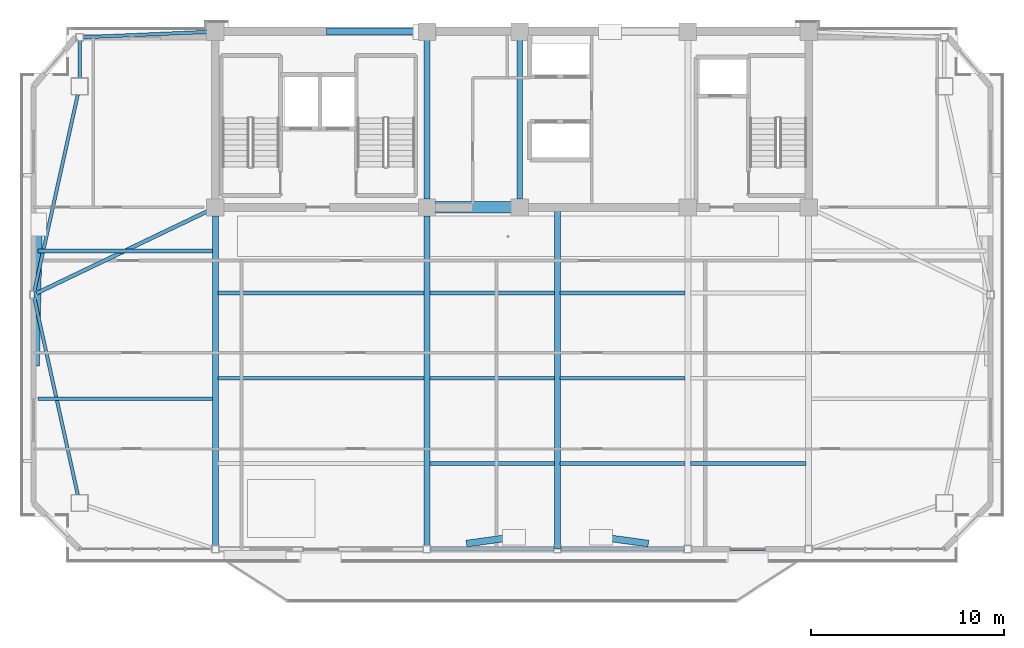
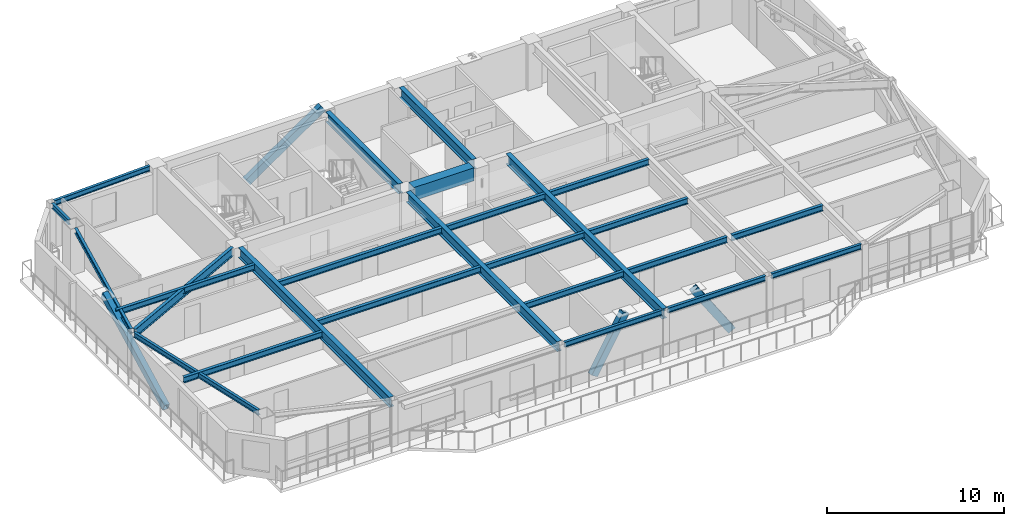
# One storey, part 3 of 13: 25 beams, 4 members.
"""IFC4 building model written with IfcOpenShell, lengths in metres."""

from ifc_helpers import new_model, si_unit, direction, frame, origin, origin_2d, place, context, subcontext, project, spatial, rectangle, hollow_rectangle, i_section, extrude, source, transform, mapped, material, material_profile, profile_set, type_object, element, save


model = new_model("IFC4")

# Units and contexts
model_context = context("Model", 3, precision=1e-05, world=origin(), true_north=direction((0.0, 1.0)))
body_context = subcontext(model_context, "Body", "Model", "MODEL_VIEW")
ifc_project = project(units=[si_unit("LENGTHUNIT", "METRE"), si_unit("AREAUNIT", "SQUARE_METRE"), si_unit("VOLUMEUNIT", "CUBIC_METRE"), si_unit("PLANEANGLEUNIT", "RADIAN"), si_unit("MASSUNIT", "GRAM", prefix="KILO")], contexts=[model_context])

# Site, building, storey
site_placement = place(None, origin())
site = spatial("IfcSite", under=ifc_project, at=site_placement, CompositionType="ELEMENT")
building_placement = place(site_placement, origin())
building = spatial("IfcBuilding", under=site, at=building_placement, Name="Giltprow Tower", CompositionType="ELEMENT")
storey_placement = place(building_placement, frame((0.0, 0.0, 307.39990234375)))
storey = spatial("IfcBuildingStorey", under=building, at=storey_placement, Name="L79", CompositionType="ELEMENT", Elevation=307.39990234375)

# Beams
ifc_material_1 = material(Name="Structural steel Q355B", Category="steel")
ifc_material_profile_1 = material_profile(ifc_material_1, i_section(OverallWidth=0.199951171875, OverallDepth=0.39990234375, WebThickness=0.008056640625, FlangeThickness=0.012939453125, at=origin_2d()), Name="HN 400x200x8x13")
ifc_profile_set_1 = profile_set([ifc_material_profile_1], Name="Structural steel Q355B")
beam_type_1 = type_object("IfcBeamType", Name="BM-JOIST-HN400", PredefinedType="JOIST", material=ifc_profile_set_1)
shared_shape_1 = source(origin(), body_context, "Body", "SweptSolid", [
    extrude(i_section(OverallWidth=0.199951171875, OverallDepth=0.39990234375, WebThickness=0.008056640625, FlangeThickness=0.012939453125, at=origin_2d()), origin(), (0.0, 0.0, 1.0), 10.659912109375),
])
for number, where, z_axis, x_axis, name in (
    (1, (19.9951171875, 28.611083984375, 2.985107421875), (1.0, 0.0, 0.0), (0.0, 1.0, 0.0), "L79 Composite Floor Joist 2-1"),
    (2, (19.9951171875, 33.031005859375, 2.985107421875), (1.0, 0.0, 0.0), (0.0, 1.0, 0.0), "L79 Composite Floor Joist 3-1"),
):
    element("IfcBeam", number, at=place(storey_placement, frame(where, z_axis=z_axis, x_axis=x_axis)), inside=storey, type_object=beam_type_1, Name=name, PredefinedType="JOIST", context=body_context, shape_type="MappedRepresentation", body=[
        mapped(shared_shape_1, transform((0.0, 0.0, 0.0), x_axis=(1.0, 0.0, 0.0), y_axis=(0.0, 1.0, 0.0), z_axis=(0.0, 0.0, 1.0), scale=1.0)),
    ])
shared_shape_2 = source(origin(), body_context, "Body", "SweptSolid", [
    extrude(i_section(OverallWidth=0.199951171875, OverallDepth=0.39990234375, WebThickness=0.008056640625, FlangeThickness=0.012939453125, at=origin_2d()), origin(), (0.0, 0.0, 1.0), 6.4599609375),
])
for number, where, z_axis, x_axis, name in (
    (3, (30.945068359375, 24.19091796875, 2.985107421875), (1.0, 0.0, 0.0), (0.0, 1.0, 0.0), "L79 Composite Floor Joist 1-2"),
    (4, (37.695068359375, 24.19091796875, 2.985107421875), (1.0, 0.0, 0.0), (0.0, 1.0, 0.0), "L79 Composite Floor Joist 1-3"),
    (5, (30.945068359375, 28.611083984375, 2.985107421875), (1.0, 0.0, 0.0), (0.0, 1.0, 0.0), "L79 Composite Floor Joist 2-2"),
    (6, (37.695068359375, 28.611083984375, 2.985107421875), (1.0, 0.0, 0.0), (0.0, 1.0, 0.0), "L79 Composite Floor Joist 2-3"),
    (7, (30.945068359375, 33.031005859375, 2.985107421875), (1.0, 0.0, 0.0), (0.0, 1.0, 0.0), "L79 Composite Floor Joist 3-2"),
    (8, (37.695068359375, 33.031005859375, 2.985107421875), (1.0, 0.0, 0.0), (0.0, 1.0, 0.0), "L79 Composite Floor Joist 3-3"),
):
    element("IfcBeam", number, at=place(storey_placement, frame(where, z_axis=z_axis, x_axis=x_axis)), inside=storey, type_object=beam_type_1, Name=name, PredefinedType="JOIST", context=body_context, shape_type="MappedRepresentation", body=[
        mapped(shared_shape_2, transform((0.0, 0.0, 0.0), x_axis=(1.0, 0.0, 0.0), y_axis=(0.0, 1.0, 0.0), z_axis=(0.0, 0.0, 1.0), scale=1.0)),
    ])
shared_shape_3 = source(origin(), body_context, "Body", "SweptSolid", [
    extrude(i_section(OverallWidth=0.199951171875, OverallDepth=0.39990234375, WebThickness=0.008056640625, FlangeThickness=0.012939453125, at=origin_2d()), origin(), (0.0, 0.0, 1.0), 5.9599609375),
])
beam_1_placement = place(storey_placement, frame((44.445068359375, 24.19091796875, 2.985107421875), z_axis=(1.0, 0.0, 0.0), x_axis=(0.0, 1.0, 0.0)))
element("IfcBeam", 9, at=beam_1_placement, inside=storey, type_object=beam_type_1, Name="L79 Composite Floor Joist 1-4", PredefinedType="JOIST", context=body_context, shape_type="MappedRepresentation", body=[
    mapped(shared_shape_3, transform((0.0, 0.0, 0.0), x_axis=(1.0, 0.0, 0.0), y_axis=(0.0, 1.0, 0.0), z_axis=(0.0, 0.0, 1.0), scale=1.0)),
])
ifc_material_2 = material(Name="Concrete C50", Category="concrete")
ifc_material_profile_2 = material_profile(ifc_material_2, rectangle(XDim=0.60009765625, YDim=0.89990234375, at=origin_2d()), Name="RC 900x600")
ifc_profile_set_2 = profile_set([ifc_material_profile_2], Name="Concrete C50")
beam_type_2 = type_object("IfcBeamType", Name="BM-CPL-RC900", PredefinedType="LINTEL", material=ifc_profile_set_2)
shared_shape_4 = source(origin(), body_context, "Body", "SweptSolid", [
    extrude(rectangle(XDim=0.60009765625, YDim=0.89990234375, at=origin_2d()), origin(), (0.0, 0.0, 1.0), 3.929931640625),
])
beam_2_placement = place(storey_placement, frame((31.235107421875, 37.449951171875, 2.735107421875), z_axis=(1.0, 0.0, 0.0), x_axis=(0.0, 1.0, 0.0)))
element("IfcBeam", 10, at=beam_2_placement, inside=storey, type_object=beam_type_2, Name="L79 Core Coupling Beam CB-1", PredefinedType="LINTEL", context=body_context, shape_type="MappedRepresentation", body=[
    mapped(shared_shape_4, transform((0.0, 0.0, 0.0), x_axis=(1.0, 0.0, 0.0), y_axis=(0.0, 1.0, 0.0), z_axis=(0.0, 0.0, 1.0), scale=1.0)),
])
ifc_material_profile_3 = material_profile(ifc_material_1, i_section(OverallWidth=0.300048828125, OverallDepth=0.699951171875, WebThickness=0.012939453125, FlangeThickness=0.02392578125, at=origin_2d()), Name="HN 700x300x13x24")
ifc_profile_set_3 = profile_set([ifc_material_profile_3], Name="Structural steel Q355B")
beam_type_3 = type_object("IfcBeamType", Name="BM-GIRD-HN700", PredefinedType="BEAM", material=ifc_profile_set_3)
shared_shape_5 = source(origin(), body_context, "Body", "SweptSolid", [
    extrude(i_section(OverallWidth=0.300048828125, OverallDepth=0.699951171875, WebThickness=0.012939453125, FlangeThickness=0.02392578125, at=origin_2d()), origin(), (0.0, 0.0, 1.0), 8.22998046875),
])
for number, where, z_axis, x_axis, name in (
    (11, (30.800048828125, 37.885009765625, 2.835205078125), (0.0, 1.0, 0.0), (-1.0, 0.0, 0.0), "L79 Core Tie Girder M1"),
    (12, (35.60009765625, 37.885009765625, 2.835205078125), (0.0, 1.0, 0.0), (-1.0, 0.0, 0.0), "L79 Core Tie Girder M2"),
):
    element("IfcBeam", number, at=place(storey_placement, frame(where, z_axis=z_axis, x_axis=x_axis)), inside=storey, type_object=beam_type_3, Name=name, PredefinedType="BEAM", context=body_context, shape_type="MappedRepresentation", body=[
        mapped(shared_shape_5, transform((0.0, 0.0, 0.0), x_axis=(1.0, 0.0, 0.0), y_axis=(0.0, 1.0, 0.0), z_axis=(0.0, 0.0, 1.0), scale=1.0)),
    ])
shared_shape_6 = source(origin(), body_context, "Body", "SweptSolid", [
    extrude(i_section(OverallWidth=0.300048828125, OverallDepth=0.699951171875, WebThickness=0.012939453125, FlangeThickness=0.02392578125, at=origin_2d()), origin(), (0.0, 0.0, 1.0), 17.677978515625),
])
beam_3_placement = place(storey_placement, frame((37.550048828125, 19.77197265625, 2.835205078125), z_axis=(0.0, 1.0, 0.0), x_axis=(-1.0, 0.0, 0.0)))
element("IfcBeam", 13, at=beam_3_placement, inside=storey, type_object=beam_type_3, Name="L79 Central Lease Girder SMID", PredefinedType="BEAM", context=body_context, shape_type="MappedRepresentation", body=[
    mapped(shared_shape_6, transform((0.0, 0.0, 0.0), x_axis=(1.0, 0.0, 0.0), y_axis=(0.0, 1.0, 0.0), z_axis=(0.0, 0.0, 1.0), scale=1.0)),
])
shared_shape_7 = source(origin(), body_context, "Body", "SweptSolid", [
    extrude(i_section(OverallWidth=0.199951171875, OverallDepth=0.39990234375, WebThickness=0.008056640625, FlangeThickness=0.012939453125, at=origin_2d()), origin(), (0.0, 0.0, 1.0), 9.045166015625),
])
for number, where, z_axis, x_axis, name in (
    (14, (10.659912109375, 27.547119140625, 2.985107421875), (1.0, 0.0, 0.0), (0.0, 1.0, 0.0), "L79 West Wing Floor Joist 1"),
    (15, (10.659912109375, 35.193115234375, 2.985107421875), (1.0, 0.0, 0.0), (0.0, 1.0, 0.0), "L79 West Wing Floor Joist 2"),
):
    element("IfcBeam", number, at=place(storey_placement, frame(where, z_axis=z_axis, x_axis=x_axis)), inside=storey, type_object=beam_type_1, Name=name, PredefinedType="JOIST", context=body_context, shape_type="MappedRepresentation", body=[
        mapped(shared_shape_7, transform((0.0, 0.0, 0.0), x_axis=(1.0, 0.0, 0.0), y_axis=(0.0, 1.0, 0.0), z_axis=(0.0, 0.0, 1.0), scale=1.0)),
    ])
ifc_material_profile_4 = material_profile(ifc_material_1, i_section(OverallWidth=0.175048828125, OverallDepth=0.35009765625, WebThickness=0.007080078125, FlangeThickness=0.010986328125, at=origin_2d()), Name="HN 350x175x7x11")
ifc_profile_set_4 = profile_set([ifc_material_profile_4], Name="Structural steel Q355B")
beam_type_4 = type_object("IfcBeamType", Name="BM-SPAN-HN350", PredefinedType="SPANDREL", material=ifc_profile_set_4)
shared_shape_8 = source(origin(), body_context, "Body", "SweptSolid", [
    extrude(i_section(OverallWidth=0.175048828125, OverallDepth=0.35009765625, WebThickness=0.007080078125, FlangeThickness=0.010986328125, at=origin_2d()), origin(), (0.0, 0.0, 1.0), 6.3798828125),
])
for number, where, z_axis, x_axis, name in (
    (16, (30.985107421875, 19.77197265625, 3.010009765625), (1.0, 0.0, 0.0), (0.0, 1.0, 0.0), "L79 Perimeter Spandrel Beam S2-S_MID"),
    (17, (37.735107421875, 19.77197265625, 3.010009765625), (1.0, 0.0, 0.0), (0.0, 1.0, 0.0), "L79 Perimeter Spandrel Beam S_MID-S3"),
):
    element("IfcBeam", number, at=place(storey_placement, frame(where, z_axis=z_axis, x_axis=x_axis)), inside=storey, type_object=beam_type_4, Name=name, PredefinedType="SPANDREL", context=body_context, shape_type="MappedRepresentation", body=[
        mapped(shared_shape_8, transform((0.0, 0.0, 0.0), x_axis=(1.0, 0.0, 0.0), y_axis=(0.0, 1.0, 0.0), z_axis=(0.0, 0.0, 1.0), scale=1.0)),
    ])
shared_shape_9 = source(origin(), body_context, "Body", "SweptSolid", [
    extrude(i_section(OverallWidth=0.175048828125, OverallDepth=0.35009765625, WebThickness=0.007080078125, FlangeThickness=0.010986328125, at=origin_2d()), origin(), (0.0, 0.0, 1.0), 5.8798828125),
])
beam_4_placement = place(storey_placement, frame((44.485107421875, 19.77197265625, 3.010009765625), z_axis=(1.0, 0.0, 0.0), x_axis=(0.0, 1.0, 0.0)))
element("IfcBeam", 18, at=beam_4_placement, inside=storey, type_object=beam_type_4, Name="L79 Perimeter Spandrel Beam S3-S4", PredefinedType="SPANDREL", context=body_context, shape_type="MappedRepresentation", body=[
    mapped(shared_shape_9, transform((0.0, 0.0, 0.0), x_axis=(1.0, 0.0, 0.0), y_axis=(0.0, 1.0, 0.0), z_axis=(0.0, 0.0, 1.0), scale=1.0)),
])
shared_shape_10 = source(origin(), body_context, "Body", "SweptSolid", [
    extrude(i_section(OverallWidth=0.175048828125, OverallDepth=0.35009765625, WebThickness=0.007080078125, FlangeThickness=0.010986328125, at=origin_2d()), origin(), (0.0, 0.0, 1.0), 10.4189453125),
])
beam_5_placement = place(storey_placement, frame((10.47998046875, 32.7548828125, 3.010009765625), z_axis=(0.216047103841, -0.976382941741, 0.0), x_axis=(0.976382941741, 0.216047103841, 0.0)))
element("IfcBeam", 19, at=beam_5_placement, inside=storey, type_object=beam_type_4, Name="L79 Perimeter Spandrel Beam W_MID-MC_SW", PredefinedType="SPANDREL", context=body_context, shape_type="MappedRepresentation", body=[
    mapped(shared_shape_10, transform((0.0, 0.0, 0.0), x_axis=(1.0, 0.0, 0.0), y_axis=(0.0, 1.0, 0.0), z_axis=(0.0, 0.0, 1.0), scale=1.0)),
])
shared_shape_11 = source(origin(), body_context, "Body", "SweptSolid", [
    extrude(i_section(OverallWidth=0.175048828125, OverallDepth=0.35009765625, WebThickness=0.007080078125, FlangeThickness=0.010986328125, at=origin_2d()), origin(), (0.0, 0.0, 1.0), 10.419189453125),
])
beam_6_placement = place(storey_placement, frame((12.73095703125, 43.2900390625, 3.010009765625), z_axis=(-0.216042161002, -0.976384035444, 0.0), x_axis=(0.976384035444, -0.216042161002, 0.0)))
element("IfcBeam", 20, at=beam_6_placement, inside=storey, type_object=beam_type_4, Name="L79 Perimeter Spandrel Beam MC_NW-W_MID", PredefinedType="SPANDREL", context=body_context, shape_type="MappedRepresentation", body=[
    mapped(shared_shape_11, transform((0.0, 0.0, 0.0), x_axis=(1.0, 0.0, 0.0), y_axis=(0.0, 1.0, 0.0), z_axis=(0.0, 0.0, 1.0), scale=1.0)),
])
shared_shape_12 = source(origin(), body_context, "Body", "SweptSolid", [
    extrude(i_section(OverallWidth=0.175048828125, OverallDepth=0.35009765625, WebThickness=0.007080078125, FlangeThickness=0.010986328125, at=origin_2d()), origin(), (0.0, 0.0, 1.0), 1.9150390625),
])
beam_7_placement = place(storey_placement, frame((12.824951171875, 46.06494140625, 3.010009765625), z_axis=(0.0, -1.0, 0.0), x_axis=(1.0, 0.0, 0.0)))
element("IfcBeam", 21, at=beam_7_placement, inside=storey, type_object=beam_type_4, Name="L79 Perimeter Spandrel Beam N_W-MC_NW", PredefinedType="SPANDREL", context=body_context, shape_type="MappedRepresentation", body=[
    mapped(shared_shape_12, transform((0.0, 0.0, 0.0), x_axis=(1.0, 0.0, 0.0), y_axis=(0.0, 1.0, 0.0), z_axis=(0.0, 0.0, 1.0), scale=1.0)),
])
shared_shape_13 = source(origin(), body_context, "Body", "SweptSolid", [
    extrude(i_section(OverallWidth=0.175048828125, OverallDepth=0.35009765625, WebThickness=0.007080078125, FlangeThickness=0.010986328125, at=origin_2d()), origin(), (0.0, 0.0, 1.0), 6.410888671875),
])
beam_8_placement = place(storey_placement, frame((13.010009765625, 46.258056640625, 3.010009765625), z_axis=(0.999093223097, 0.042576185379, 0.0), x_axis=(-0.042576185379, 0.999093223097, 0.0)))
element("IfcBeam", 22, at=beam_8_placement, inside=storey, type_object=beam_type_4, Name="L79 North Wing Spandrel W", PredefinedType="SPANDREL", context=body_context, shape_type="MappedRepresentation", body=[
    mapped(shared_shape_13, transform((0.0, 0.0, 0.0), x_axis=(1.0, 0.0, 0.0), y_axis=(0.0, 1.0, 0.0), z_axis=(0.0, 0.0, 1.0), scale=1.0)),
])
shared_shape_14 = source(origin(), body_context, "Body", "SweptSolid", [
    extrude(i_section(OverallWidth=0.300048828125, OverallDepth=0.699951171875, WebThickness=0.012939453125, FlangeThickness=0.02392578125, at=origin_2d()), origin(), (0.0, 0.0, 1.0), 17.057861328125),
])
for number, where, z_axis, x_axis, name in (
    (23, (19.85009765625, 19.95703125, 2.835205078125), (0.0, 1.0, 0.0), (-1.0, 0.0, 0.0), "L79 Primary Lease Girder S1"),
    (24, (30.800048828125, 19.95703125, 2.835205078125), (0.0, 1.0, 0.0), (-1.0, 0.0, 0.0), "L79 Primary Lease Girder S2"),
):
    element("IfcBeam", number, at=place(storey_placement, frame(where, z_axis=z_axis, x_axis=x_axis)), inside=storey, type_object=beam_type_3, Name=name, PredefinedType="BEAM", context=body_context, shape_type="MappedRepresentation", body=[
        mapped(shared_shape_14, transform((0.0, 0.0, 0.0), x_axis=(1.0, 0.0, 0.0), y_axis=(0.0, 1.0, 0.0), z_axis=(0.0, 0.0, 1.0), scale=1.0)),
    ])
ifc_material_profile_5 = material_profile(ifc_material_1, i_section(OverallWidth=0.199951171875, OverallDepth=0.60009765625, WebThickness=0.010986328125, FlangeThickness=0.01708984375, at=origin_2d()), Name="HN 600x200x11x17")
ifc_profile_set_5 = profile_set([ifc_material_profile_5], Name="Structural steel Q355B")
beam_type_5 = type_object("IfcBeamType", Name="BM-GIRD-HN600", PredefinedType="BEAM", material=ifc_profile_set_5)
shared_shape_15 = source(origin(), body_context, "Body", "SweptSolid", [
    extrude(i_section(OverallWidth=0.199951171875, OverallDepth=0.60009765625, WebThickness=0.010986328125, FlangeThickness=0.01708984375, at=origin_2d()), origin(), (0.0, 0.0, 1.0), 9.816650390625),
])
beam_9_placement = place(storey_placement, frame((10.60693359375, 33.01611328125, 2.885009765625), z_axis=(0.901628977648, 0.432510331281, 0.0), x_axis=(-0.432510331281, 0.901628977648, 0.0)))
element("IfcBeam", 25, at=beam_9_placement, inside=storey, type_object=beam_type_5, Name="L79 West Wing Primary Girder", PredefinedType="BEAM", context=body_context, shape_type="MappedRepresentation", body=[
    mapped(shared_shape_15, transform((0.0, 0.0, 0.0), x_axis=(1.0, 0.0, 0.0), y_axis=(0.0, 1.0, 0.0), z_axis=(0.0, 0.0, 1.0), scale=1.0)),
])

# Members
ifc_material_3 = material(Name="Structural steel Q420GJC", Category="steel")
ifc_material_profile_6 = material_profile(ifc_material_3, hollow_rectangle(XDim=0.35009765625, YDim=0.5, WallThickness=0.02392578125, at=origin_2d()), Name="RHS 500x350x24")
ifc_profile_set_6 = profile_set([ifc_material_profile_6], Name="Structural steel Q420GJC")
member_type = type_object("IfcMemberType", Name="MBR-MEGA-RHS500", PredefinedType="BRACE", material=ifc_profile_set_6)
shared_shape_16 = source(origin(), body_context, "Body", "SweptSolid", [
    extrude(hollow_rectangle(XDim=0.35009765625, YDim=0.5, WallThickness=0.02392578125, at=origin_2d()), origin(), (0.0, 0.0, 1.0), 4.0888671875),
])
for number, where, z_axis, x_axis, name in (
    (26, (33.050048828125, 20.0830078125, 0.0), (0.550261534741, 0.075828141181, 0.831542143483), (-0.13651372484, 0.990638179625, 0.0), "L79 Chevron Mega-Brace S-L"),
    (27, (42.050048828125, 20.0830078125, 0.0), (-0.550261534741, 0.075828141181, 0.831542143483), (-0.13651372484, -0.990638179625, 0.0), "L79 Chevron Mega-Brace S-R"),
):
    element("IfcMember", number, at=place(storey_placement, frame(where, z_axis=z_axis, x_axis=x_axis)), inside=storey, type_object=member_type, Name=name, PredefinedType="BRACE", context=body_context, shape_type="MappedRepresentation", body=[
        mapped(shared_shape_16, transform((0.0, 0.0, 0.0), x_axis=(1.0, 0.0, 0.0), y_axis=(0.0, 1.0, 0.0), z_axis=(0.0, 0.0, 1.0), scale=1.0)),
    ])
shared_shape_17 = source(origin(), body_context, "Body", "SweptSolid", [
    extrude(hollow_rectangle(XDim=0.35009765625, YDim=0.5, WallThickness=0.02392578125, at=origin_2d()), origin(), (0.0, 0.0, 1.0), 5.991943359375),
])
member_1_placement = place(storey_placement, frame((25.73291015625, 46.550048828125, -0.139892578125), z_axis=(0.823439915598, 0.0, 0.567403476725), x_axis=(0.0, 1.0, 0.0)))
element("IfcMember", 28, at=member_1_placement, inside=storey, type_object=member_type, Name="L79 Chevron Mega-Brace N-L", PredefinedType="BRACE", context=body_context, shape_type="MappedRepresentation", body=[
    mapped(shared_shape_17, transform((0.0, 0.0, 0.0), x_axis=(1.0, 0.0, 0.0), y_axis=(0.0, 1.0, 0.0), z_axis=(0.0, 0.0, 1.0), scale=1.0)),
])
shared_shape_18 = source(origin(), body_context, "Body", "SweptSolid", [
    extrude(hollow_rectangle(XDim=0.35009765625, YDim=0.5, WallThickness=0.02392578125, at=origin_2d()), origin(), (0.0, 0.0, 1.0), 7.96484375),
])
member_2_placement = place(storey_placement, frame((10.577880859375, 29.35888671875, 0.0), z_axis=(0.017472006179, 0.904130340792, 0.42689935097), x_axis=(-0.999813331151, 0.019321046879, 0.0)))
element("IfcMember", 29, at=member_2_placement, inside=storey, type_object=member_type, Name="L79 Chevron Mega-Brace W-D", PredefinedType="BRACE", context=body_context, shape_type="MappedRepresentation", body=[
    mapped(shared_shape_18, transform((0.0, 0.0, 0.0), x_axis=(1.0, 0.0, 0.0), y_axis=(0.0, 1.0, 0.0), z_axis=(0.0, 0.0, 1.0), scale=1.0)),
])

save(model, "model.ifc")
